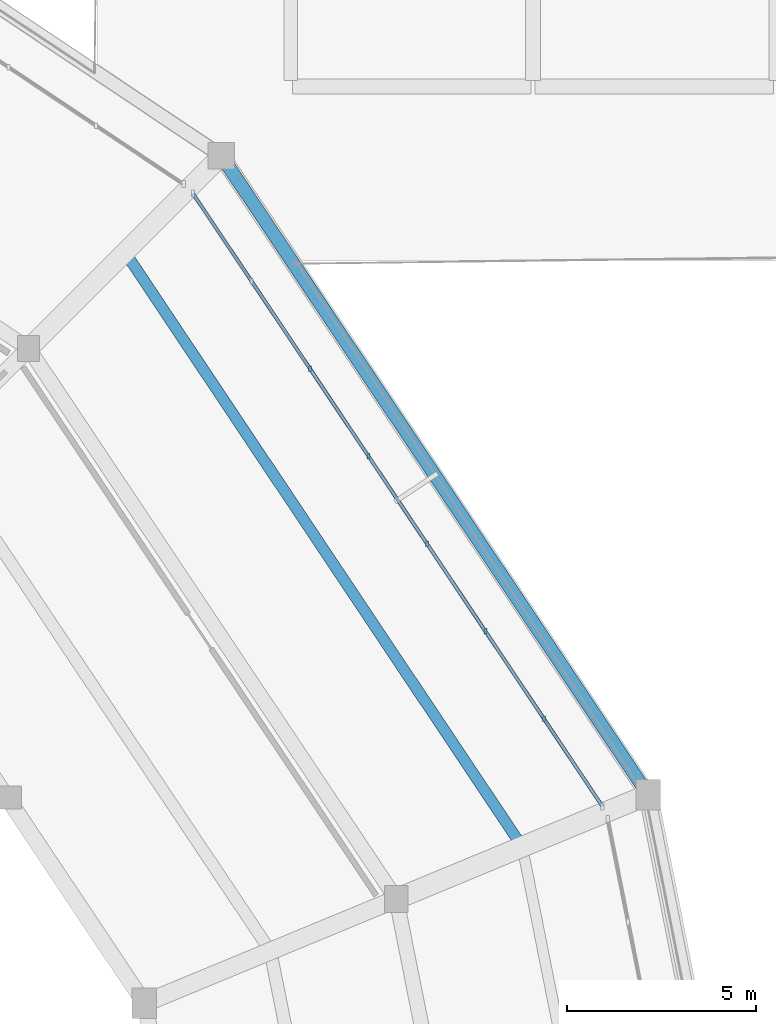
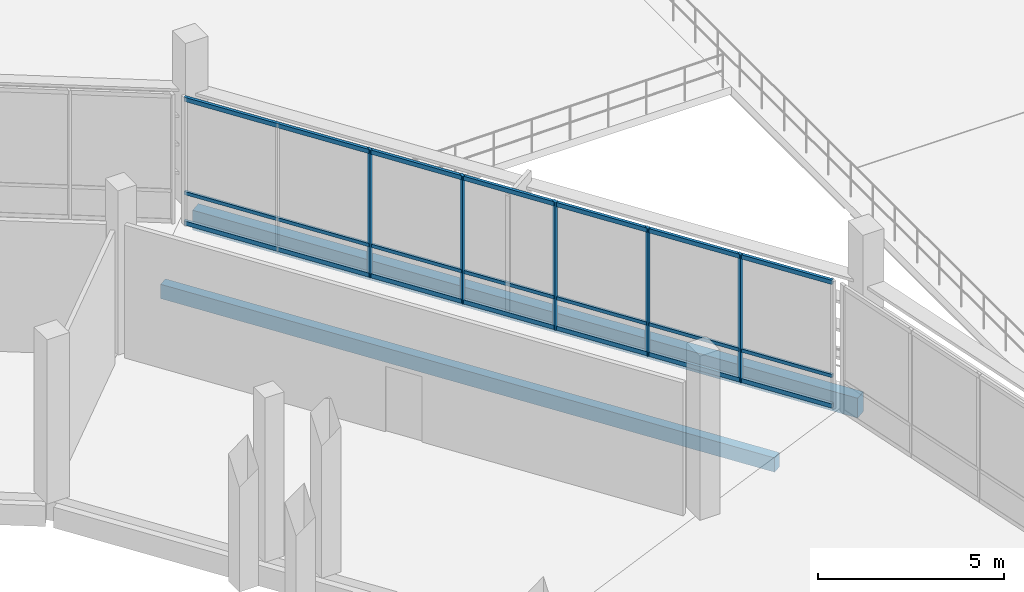
# One storey, part 43 of 111: 8 members, 2 beams, 1 element without a shape of its own.
"""IFC4 building model written with IfcOpenShell, lengths in metres."""

from ifc_helpers import new_model, si_unit, direction, frame, origin, origin_2d, place, context, subcontext, project, spatial, rectangle, extrude, material, material_profile, profile_set, type_object, element, aggregate, save


model = new_model("IFC4")

# Units and contexts
model_context = context("Model", 3, precision=1e-05, world=origin(), true_north=direction((0.0, 1.0)))
body_context = subcontext(model_context, "Body", "Model", "MODEL_VIEW")
ifc_project = project(units=[si_unit("LENGTHUNIT", "METRE"), si_unit("AREAUNIT", "SQUARE_METRE"), si_unit("VOLUMEUNIT", "CUBIC_METRE"), si_unit("PLANEANGLEUNIT", "RADIAN"), si_unit("MASSUNIT", "GRAM", prefix="KILO")], contexts=[model_context])

# Site, building, storey
site_placement = place(None, origin())
site = spatial("IfcSite", under=ifc_project, at=site_placement, CompositionType="ELEMENT")
building_placement = place(site_placement, origin())
building = spatial("IfcBuilding", under=site, at=building_placement, Name="Candeia Ridge Stadium", CompositionType="ELEMENT")
storey_placement = place(building_placement, frame((0.0, 0.0, 16.199951171875)))
storey = spatial("IfcBuildingStorey", under=building, at=storey_placement, Name="L03", CompositionType="ELEMENT", Elevation=16.199951171875)

# Curtain wall, members
ifc_material_1 = material(Name="Aluminium Anodized Warm Bronze", Category="aluminium")
curtain_wall_type = type_object("IfcCurtainWallType", Name="Concourse Recessed Unitised Curtain Wall", PredefinedType="NOTDEFINED", material=ifc_material_1)
curtain_wall_placement = place(storey_placement, origin())
curtain_wall = element("IfcCurtainWall", 1, at=curtain_wall_placement, inside=storey, type_object=curtain_wall_type, Name="Unitised curtain wall CW-BWL-L03-33", PredefinedType="NOTDEFINED")
ifc_material_profile_1 = material_profile(ifc_material_1, rectangle(XDim=0.074951171875, YDim=0.14990234375, at=origin_2d()), Name="CWM-75x150", Category="aluminium")
ifc_profile_set_1 = profile_set([ifc_material_profile_1], Name="Aluminium Anodized Warm Bronze")
member_type_1 = type_object("IfcMemberType", Name="Curtain Wall Secondary Mullion 75x150", PredefinedType="MULLION", material=ifc_profile_set_1)
member_1_placement = place(storey_placement, frame((186.28857421875, 116.901611328125, 0.0), z_axis=(0.0, 0.0, 1.0), x_axis=(1.0, 0.0, 0.0)))
member_1 = element("IfcMember", 2, at=member_1_placement, type_object=member_type_1, Name="Curtain wall mullion CW-BWL-L03-33-M1", PredefinedType="MULLION", context=body_context, shape_type="SweptSolid", body=[
    extrude(rectangle(XDim=0.074951171875, YDim=0.14990234375, at=origin_2d()), origin(), (0.0, 0.0, 1.0), 4.205078125),
])
member_2_placement = place(storey_placement, frame((184.743896484375, 119.21337890625, 0.0), z_axis=(0.0, 0.0, 1.0), x_axis=(1.0, 0.0, 0.0)))
member_2 = element("IfcMember", 3, at=member_2_placement, type_object=member_type_1, Name="Curtain wall mullion CW-BWL-L03-33-M2", PredefinedType="MULLION", context=body_context, shape_type="SweptSolid", body=[
    extrude(rectangle(XDim=0.074951171875, YDim=0.14990234375, at=origin_2d()), origin(), (0.0, 0.0, 1.0), 4.205078125),
])
member_3_placement = place(storey_placement, frame((183.19921875, 121.52490234375, 0.0), z_axis=(0.0, 0.0, 1.0), x_axis=(1.0, 0.0, 0.0)))
member_3 = element("IfcMember", 4, at=member_3_placement, type_object=member_type_1, Name="Curtain wall mullion CW-BWL-L03-33-M3", PredefinedType="MULLION", context=body_context, shape_type="SweptSolid", body=[
    extrude(rectangle(XDim=0.074951171875, YDim=0.14990234375, at=origin_2d()), origin(), (0.0, 0.0, 1.0), 4.205078125),
])
member_4_placement = place(storey_placement, frame((181.65478515625, 123.83642578125, 0.0), z_axis=(0.0, 0.0, 1.0), x_axis=(1.0, 0.0, 0.0)))
member_4 = element("IfcMember", 5, at=member_4_placement, type_object=member_type_1, Name="Curtain wall mullion CW-BWL-L03-33-M4", PredefinedType="MULLION", context=body_context, shape_type="SweptSolid", body=[
    extrude(rectangle(XDim=0.074951171875, YDim=0.14990234375, at=origin_2d()), origin(), (0.0, 0.0, 1.0), 4.205078125),
])
member_5_placement = place(storey_placement, frame((180.110107421875, 126.148193359375, 0.0), z_axis=(0.0, 0.0, 1.0), x_axis=(1.0, 0.0, 0.0)))
member_5 = element("IfcMember", 6, at=member_5_placement, type_object=member_type_1, Name="Curtain wall mullion CW-BWL-L03-33-M5", PredefinedType="MULLION", context=body_context, shape_type="SweptSolid", body=[
    extrude(rectangle(XDim=0.074951171875, YDim=0.14990234375, at=origin_2d()), origin(), (0.0, 0.0, 1.0), 4.205078125),
])
ifc_material_profile_2 = material_profile(ifc_material_1, rectangle(XDim=0.074951171875, YDim=0.110107421875, at=origin_2d()), Name="CWT-75x110", Category="aluminium")
ifc_profile_set_2 = profile_set([ifc_material_profile_2], Name="Aluminium Anodized Warm Bronze")
member_type_2 = type_object("IfcMemberType", Name="Curtain Wall Secondary Transom 75x110", PredefinedType="USERDEFINED", material=ifc_profile_set_2)
member_6_placement = place(storey_placement, frame((187.8330078125, 114.590087890625, 1.05126953125), z_axis=(-0.555568394863, 0.831470840517, 0.0), x_axis=(-0.831470840517, -0.555568394863, 0.0)))
member_6 = element("IfcMember", 7, at=member_6_placement, type_object=member_type_2, Name="Curtain wall transom CW-BWL-L03-33-T1", ObjectType="TRANSOM", PredefinedType="USERDEFINED", context=body_context, shape_type="SweptSolid", body=[
    extrude(rectangle(XDim=0.074951171875, YDim=0.110107421875, at=origin_2d()), origin(), (0.0, 0.0, 1.0), 19.461181640625),
])
ifc_material_profile_3 = material_profile(ifc_material_1, rectangle(XDim=0.090087890625, YDim=0.139892578125, at=origin_2d()), Name="CWT-90x140", Category="aluminium")
ifc_profile_set_3 = profile_set([ifc_material_profile_3], Name="Aluminium Anodized Warm Bronze")
member_type_3 = type_object("IfcMemberType", Name="Curtain Wall Transom 90x140", PredefinedType="USERDEFINED", material=ifc_profile_set_3)
member_7_placement = place(storey_placement, frame((187.8330078125, 114.590087890625, 0.070068359375), z_axis=(-0.555568394863, 0.831470840517, 0.0), x_axis=(-0.831470840517, -0.555568394863, 0.0)))
member_7 = element("IfcMember", 8, at=member_7_placement, type_object=member_type_3, Name="Curtain wall transom CW-BWL-L03-33-T0", ObjectType="TRANSOM", PredefinedType="USERDEFINED", context=body_context, shape_type="SweptSolid", body=[
    extrude(rectangle(XDim=0.090087890625, YDim=0.139892578125, at=origin_2d()), origin(), (0.0, 0.0, 1.0), 19.461181640625),
])
member_8_placement = place(storey_placement, frame((187.8330078125, 114.590087890625, 4.135009765625), z_axis=(-0.555568394863, 0.831470840517, 0.0), x_axis=(-0.831470840517, -0.555568394863, 0.0)))
member_8 = element("IfcMember", 9, at=member_8_placement, type_object=member_type_3, Name="Curtain wall transom CW-BWL-L03-33-T2", ObjectType="TRANSOM", PredefinedType="USERDEFINED", context=body_context, shape_type="SweptSolid", body=[
    extrude(rectangle(XDim=0.090087890625, YDim=0.139892578125, at=origin_2d()), origin(), (0.0, 0.0, 1.0), 19.461181640625),
])
aggregate(curtain_wall, [member_1, member_2, member_3, member_4, member_5, member_7, member_6, member_8])

# Beams
ifc_material_2 = material(Name="Concrete C40/50", Category="concrete")
ifc_material_profile_4 = material_profile(ifc_material_2, rectangle(XDim=0.2900390625, YDim=0.469970703125, at=origin_2d()), Name="RC290x470", Category="concrete")
ifc_profile_set_4 = profile_set([ifc_material_profile_4], Name="Concrete C40/50")
beam_type_1 = type_object("IfcBeamType", Name="Floor Joist RC290x470", PredefinedType="JOIST", material=ifc_profile_set_4)
beam_1_placement = place(storey_placement, frame((185.592529296875, 113.70654296875, -0.48486328125), z_axis=(-0.555573683674, 0.831467306639, 0.0), x_axis=(-0.831467306639, -0.555573683674, 0.0)))
element("IfcBeam", 10, at=beam_1_placement, inside=storey, type_object=beam_type_1, Name="Concourse secondary joist BM-L03-0711", PredefinedType="JOIST", context=body_context, shape_type="SweptSolid", body=[
    extrude(rectangle(XDim=0.2900390625, YDim=0.469970703125, at=origin_2d()), origin(), (0.0, 0.0, 1.0), 18.440673828125),
])
ifc_material_profile_5 = material_profile(ifc_material_2, rectangle(XDim=0.35009765625, YDim=0.64990234375, at=origin_2d()), Name="RC350x650", Category="concrete")
ifc_profile_set_5 = profile_set([ifc_material_profile_5], Name="Concrete C40/50")
beam_type_2 = type_object("IfcBeamType", Name="Spandrel Beam RC350x650", PredefinedType="SPANDREL", material=ifc_profile_set_5)
beam_2_placement = place(storey_placement, frame((188.952880859375, 115.032470703125, -0.574951171875), z_axis=(-0.555571676938, 0.831468647505, 0.0), x_axis=(-0.831468647505, -0.555571676938, 0.0)))
element("IfcBeam", 11, at=beam_2_placement, inside=storey, type_object=beam_type_2, Name="Bowl perimeter spandrel BM-L03-0709", PredefinedType="SPANDREL", context=body_context, shape_type="SweptSolid", body=[
    extrude(rectangle(XDim=0.35009765625, YDim=0.64990234375, at=origin_2d()), origin(), (0.0, 0.0, 1.0), 19.969482421875),
])

save(model, "model.ifc")
